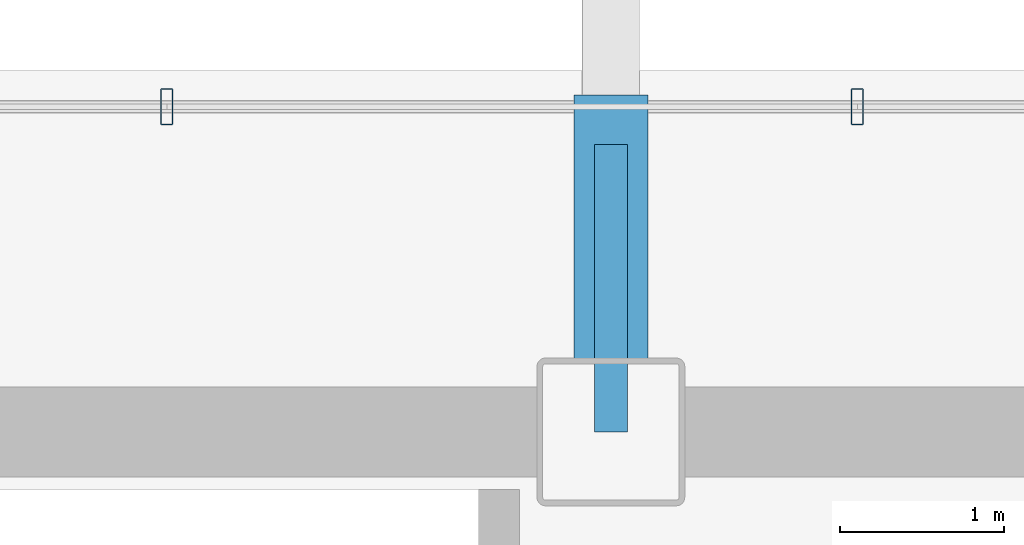
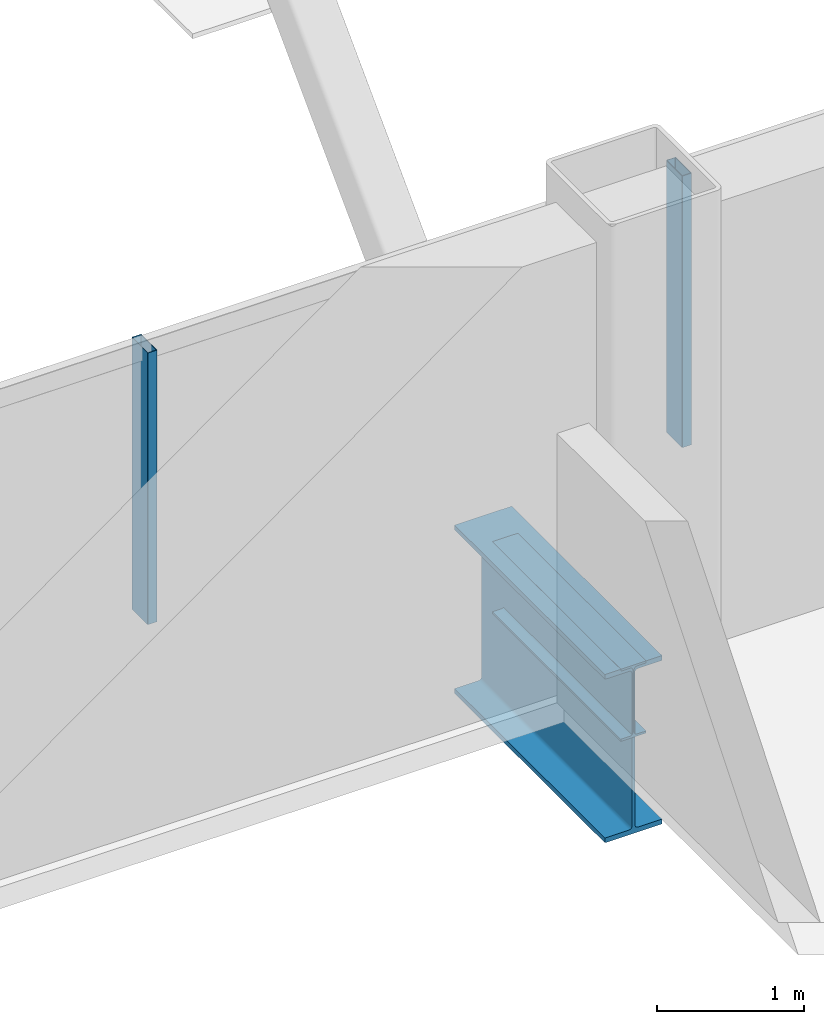
# One storey, part 10 of 22: 2 beams, 2 members, 1 element without a shape of its own.
"""IFC4 building model written with IfcOpenShell, lengths in metres."""

from ifc_helpers import new_model, si_unit, direction, frame, origin, origin_2d, place, context, subcontext, project, spatial, hollow_rectangle, i_section, extrude, material, material_profile, profile_set, type_object, element, aggregate, save


model = new_model("IFC4")

# Units and contexts
model_context = context("Model", 3, precision=1e-05, world=origin(), true_north=direction((0.0, 1.0)))
body_context = subcontext(model_context, "Body", "Model", "MODEL_VIEW")
ifc_project = project(units=[si_unit("LENGTHUNIT", "METRE"), si_unit("AREAUNIT", "SQUARE_METRE"), si_unit("VOLUMEUNIT", "CUBIC_METRE"), si_unit("PLANEANGLEUNIT", "RADIAN"), si_unit("MASSUNIT", "GRAM", prefix="KILO")], contexts=[model_context])

# Site, building, storey
site_placement = place(None, origin())
site = spatial("IfcSite", under=ifc_project, at=site_placement, CompositionType="ELEMENT")
building_placement = place(site_placement, origin())
building = spatial("IfcBuilding", under=site, at=building_placement, Name="Noeulbin Bourse Tower", CompositionType="ELEMENT")
storey_placement = place(building_placement, frame((0.0, 0.0, 138.300048828125)))
storey = spatial("IfcBuildingStorey", under=building, at=storey_placement, Name="L34", CompositionType="ELEMENT", Elevation=138.300048828125)

# Beams
ifc_material_1 = material(Name="Steel S355", Category="steel")
ifc_material_profile_1 = material_profile(ifc_material_1, i_section(OverallWidth=0.199951171875, OverallDepth=0.60009765625, WebThickness=0.010986328125, FlangeThickness=0.01708984375, FilletRadius=0.02197265625, at=origin_2d()), Name="H-600x200x11x17", Category="LoadBearing")
ifc_profile_set_1 = profile_set([ifc_material_profile_1], Name="Steel S355")
beam_type_1 = type_object("IfcBeamType", Name="BM-GRD-600", PredefinedType="USERDEFINED", material=ifc_profile_set_1)
beam_1_placement = place(storey_placement, frame((24.0, 38.300048828125, -0.47998046875), z_axis=(0.0, 1.0, 0.0), x_axis=(-1.0, 0.0, 0.0)))
element("IfcBeam", 1, at=beam_1_placement, inside=storey, type_object=beam_type_1, Name="Tower Primary Girder NS L34-2.4", ObjectType="GIRDER", PredefinedType="USERDEFINED", context=body_context, shape_type="SweptSolid", body=[
    extrude(i_section(OverallWidth=0.199951171875, OverallDepth=0.60009765625, WebThickness=0.010986328125, FlangeThickness=0.01708984375, FilletRadius=0.02197265625, at=origin_2d()), origin(), (0.0, 0.0, 1.0), 1.75),
])
ifc_material_2 = material(Name="Steel S460", Category="steel")
ifc_material_profile_2 = material_profile(ifc_material_2, i_section(OverallWidth=0.449951171875, OverallDepth=1.39990234375, WebThickness=0.02392578125, FlangeThickness=0.0400390625, FilletRadius=0.02392578125, at=origin_2d()), Name="PG-1400x450x24x40", Category="LoadBearing")
ifc_profile_set_2 = profile_set([ifc_material_profile_2], Name="Steel S460")
beam_type_2 = type_object("IfcBeamType", Name="BM-TRF-1400", PredefinedType="USERDEFINED", material=ifc_profile_set_2)
beam_2_placement = place(storey_placement, frame((24.0, 38.300048828125, -0.880126953125), z_axis=(0.0, 1.0, 0.0), x_axis=(-1.0, 0.0, 0.0)))
element("IfcBeam", 2, at=beam_2_placement, inside=storey, type_object=beam_type_2, Name="Transfer Outrigger Corbel L34-03", ObjectType="GIRDER", PredefinedType="USERDEFINED", context=body_context, shape_type="SweptSolid", body=[
    extrude(i_section(OverallWidth=0.449951171875, OverallDepth=1.39990234375, WebThickness=0.02392578125, FlangeThickness=0.0400390625, FilletRadius=0.02392578125, at=origin_2d()), origin(), (0.0, 0.0, 1.0), 2.050048828125),
])

# Curtain wall, members
ifc_material_3 = material(Name="Dark Tinted Triple Glazing", Category="glass")
curtain_wall_type = type_object("IfcCurtainWallType", Name="CW-SYS-3", PredefinedType="NOTDEFINED", material=ifc_material_3)
curtain_wall_placement = place(storey_placement, origin())
curtain_wall = element("IfcCurtainWall", 3, at=curtain_wall_placement, inside=storey, type_object=curtain_wall_type, Name="Unitised Curtain Wall CW-L34-N", PredefinedType="NOTDEFINED")
ifc_material_4 = material(Name="Anodised Aluminium 6063-T6", Category="aluminium")
ifc_material_profile_3 = material_profile(ifc_material_4, hollow_rectangle(XDim=0.074951171875, YDim=0.219970703125, WallThickness=0.0048828125, InnerFilletRadius=0.00244140625, OuterFilletRadius=0.0048828125, at=origin_2d()), Name="ALU-MULL-75x220x5", Category="LoadBearing")
ifc_profile_set_3 = profile_set([ifc_material_profile_3], Name="Anodised Aluminium 6063-T6")
member_type = type_object("IfcMemberType", Name="CW-SYS-3-MUL", PredefinedType="MULLION", material=ifc_profile_set_3)
member_1_placement = place(storey_placement, frame((21.2958984375, 40.280029296875, -0.02001953125), z_axis=(0.0, 0.0, 1.0), x_axis=(1.0, 0.0, 0.0)))
member_1 = element("IfcMember", 4, at=member_1_placement, type_object=member_type, Name="Curtain Wall Mullion CW-L34-N-M04", PredefinedType="MULLION", context=body_context, shape_type="SweptSolid", body=[
    extrude(hollow_rectangle(XDim=0.074951171875, YDim=0.219970703125, WallThickness=0.0048828125, InnerFilletRadius=0.00244140625, OuterFilletRadius=0.0048828125, at=origin_2d()), origin(), (0.0, 0.0, 1.0), 2.260009765625),
])
member_2_placement = place(storey_placement, frame((25.5, 40.280029296875, -0.02001953125), z_axis=(0.0, 0.0, 1.0), x_axis=(1.0, 0.0, 0.0)))
member_2 = element("IfcMember", 5, at=member_2_placement, type_object=member_type, Name="Curtain Wall Mullion CW-L34-N-M05", PredefinedType="MULLION", context=body_context, shape_type="SweptSolid", body=[
    extrude(hollow_rectangle(XDim=0.074951171875, YDim=0.219970703125, WallThickness=0.0048828125, InnerFilletRadius=0.00244140625, OuterFilletRadius=0.0048828125, at=origin_2d()), origin(), (0.0, 0.0, 1.0), 2.260009765625),
])
aggregate(curtain_wall, [member_1, member_2])

save(model, "model.ifc")
